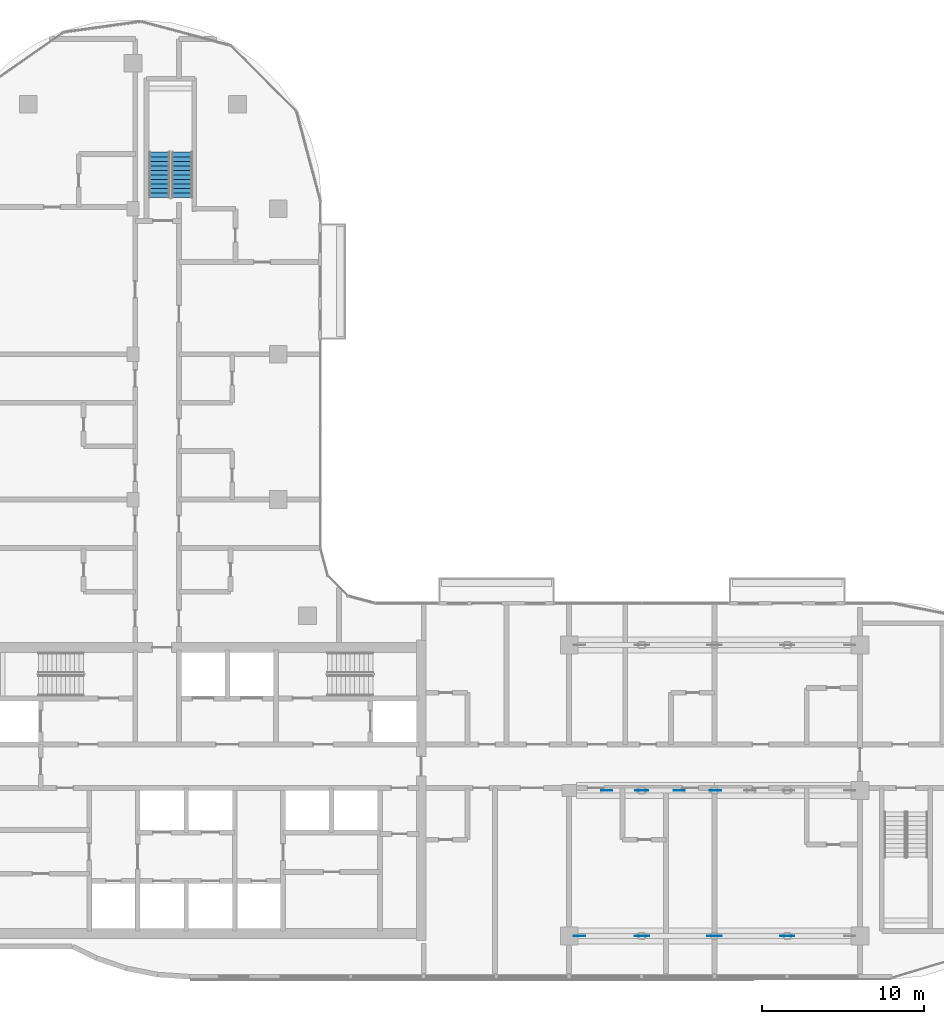
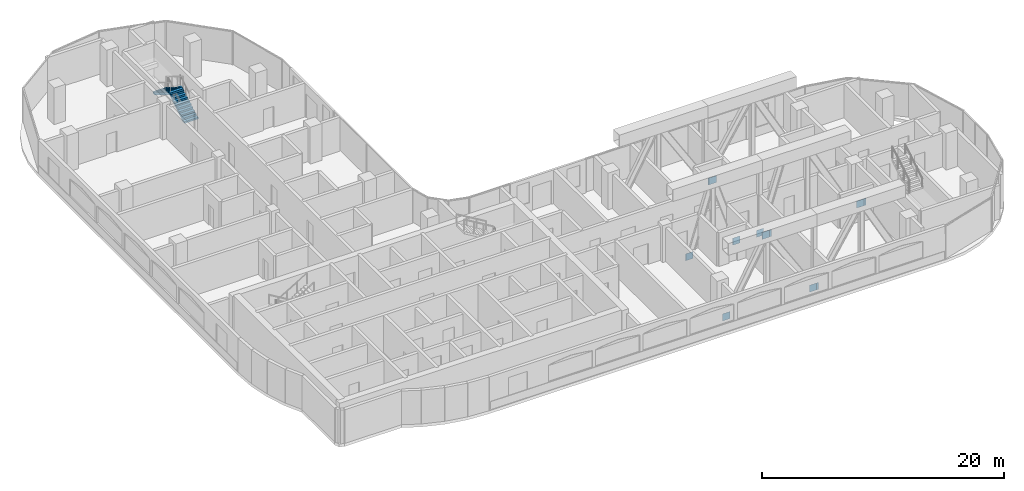
# One storey, part 16 of 25: 12 discrete accessories, 2 stair flights, 1 element without a shape of its own.
"""IFC4 building model written with IfcOpenShell, lengths in metres."""

from ifc_helpers import new_model, si_unit, direction, frame, origin, origin_2d, place, context, subcontext, project, spatial, rectangle, extrude, triangles, source, transform, mapped, material, layer, layer_set, type_object, element, aggregate, save


model = new_model("IFC4")

# Units and contexts
model_context = context("Model", 3, precision=1e-05, world=origin(), true_north=direction((0.0, 1.0)))
body_context = subcontext(model_context, "Body", "Model", "MODEL_VIEW")
ifc_project = project(units=[si_unit("LENGTHUNIT", "METRE"), si_unit("AREAUNIT", "SQUARE_METRE"), si_unit("VOLUMEUNIT", "CUBIC_METRE"), si_unit("PLANEANGLEUNIT", "RADIAN"), si_unit("MASSUNIT", "GRAM", prefix="KILO")], contexts=[model_context])

# Site, building, storey
site_placement = place(None, origin())
site = spatial("IfcSite", under=ifc_project, at=site_placement, CompositionType="ELEMENT")
building_placement = place(site_placement, origin())
building = spatial("IfcBuilding", under=site, at=building_placement, Name="Ogive Portal Towers", CompositionType="ELEMENT")
storey_placement = place(building_placement, frame((0.0, 0.0, 182.89990234375)))
storey = spatial("IfcBuildingStorey", under=building, at=storey_placement, Name="L45", CompositionType="ELEMENT", Elevation=182.89990234375)

# Stair, stair flights
ifc_material_1 = material(Name="Concrete C40/50", Category="concrete")
stair_type = type_object("IfcStairType", Name="INT-STAIR", PredefinedType="HALF_TURN_STAIR", material=ifc_material_1)
stair_placement = place(storey_placement, origin())
stair = element("IfcStair", 1, at=stair_placement, inside=storey, type_object=stair_type, Name="L45 Exit Stair ST-A3", PredefinedType="HALF_TURN_STAIR")
stair_flight_type = type_object("IfcStairFlightType", Name="INT-FLIGHT", PredefinedType="STRAIGHT", material=ifc_material_1)
shared_shape = source(origin(), body_context, "Body", "Tessellation", [
    triangles([(0.0, -0.650146484375, 0.0), (0.0, -0.376220703125, 0.0), (0.0, -0.192626953125, 0.0), (0.0, -0.081298828125, 0.0), (0.0, -0.024169921875, 0.0), (0.0, -0.003173828125, 0.0), (0.0, 0.0, 0.0), (0.0, 0.0029296875, 0.0), (0.0, 0.02392578125, 0.0), (0.0, 0.0810546875, 0.0), (0.0, 0.1923828125, 0.0), (0.0, 0.3759765625, 0.0), (0.0, 0.64990234375, 0.0), (0.0, -0.650146484375, 0.168212890625), (0.0, -0.376220703125, 0.168212890625), (0.0, -0.192626953125, 0.168212890625), (0.0, -0.081298828125, 0.168212890625), (0.0, -0.024169921875, 0.168212890625), (0.0, -0.003173828125, 0.168212890625), (0.0, 0.0, 0.168212890625), (0.0, 0.0029296875, 0.168212890625), (0.0, 0.02392578125, 0.168212890625), (0.0, 0.0810546875, 0.168212890625), (0.0, 0.1923828125, 0.168212890625), (0.0, 0.3759765625, 0.168212890625), (0.0, 0.64990234375, 0.168212890625), (0.280029296875, -0.650146484375, 0.168212890625), (0.280029296875, -0.376220703125, 0.168212890625), (0.280029296875, -0.192626953125, 0.168212890625), (0.280029296875, -0.081298828125, 0.168212890625), (0.280029296875, -0.024169921875, 0.168212890625), (0.280029296875, -0.003173828125, 0.168212890625), (0.280029296875, 0.0, 0.168212890625), (0.280029296875, 0.0029296875, 0.168212890625), (0.280029296875, 0.02392578125, 0.168212890625), (0.280029296875, 0.0810546875, 0.168212890625), (0.280029296875, 0.1923828125, 0.168212890625), (0.280029296875, 0.3759765625, 0.168212890625), (0.280029296875, 0.64990234375, 0.168212890625), (0.280029296875, -0.650146484375, 0.33642578125), (0.280029296875, -0.376220703125, 0.33642578125), (0.280029296875, -0.192626953125, 0.33642578125), (0.280029296875, -0.081298828125, 0.33642578125), (0.280029296875, -0.024169921875, 0.33642578125), (0.280029296875, -0.003173828125, 0.33642578125), (0.280029296875, 0.0, 0.33642578125), (0.280029296875, 0.0029296875, 0.33642578125), (0.280029296875, 0.02392578125, 0.33642578125), (0.280029296875, 0.0810546875, 0.33642578125), (0.280029296875, 0.1923828125, 0.33642578125), (0.280029296875, 0.3759765625, 0.33642578125), (0.280029296875, 0.64990234375, 0.33642578125), (0.56005859375, -0.650146484375, 0.33642578125), (0.56005859375, -0.376220703125, 0.33642578125), (0.56005859375, -0.192626953125, 0.33642578125), (0.56005859375, -0.081298828125, 0.33642578125), (0.56005859375, -0.024169921875, 0.33642578125), (0.56005859375, -0.003173828125, 0.33642578125), (0.56005859375, 0.0, 0.33642578125), (0.56005859375, 0.0029296875, 0.33642578125), (0.56005859375, 0.02392578125, 0.33642578125), (0.56005859375, 0.0810546875, 0.33642578125), (0.56005859375, 0.1923828125, 0.33642578125), (0.56005859375, 0.3759765625, 0.33642578125), (0.56005859375, 0.64990234375, 0.33642578125), (0.56005859375, -0.650146484375, 0.504638671875), (0.56005859375, -0.376220703125, 0.504638671875), (0.56005859375, -0.192626953125, 0.504638671875), (0.56005859375, -0.081298828125, 0.504638671875), (0.56005859375, -0.024169921875, 0.504638671875), (0.56005859375, -0.003173828125, 0.504638671875), (0.56005859375, 0.0, 0.504638671875), (0.56005859375, 0.0029296875, 0.504638671875), (0.56005859375, 0.02392578125, 0.504638671875), (0.56005859375, 0.0810546875, 0.504638671875), (0.56005859375, 0.1923828125, 0.504638671875), (0.56005859375, 0.3759765625, 0.504638671875), (0.56005859375, 0.64990234375, 0.504638671875), (0.840087890625, -0.650146484375, 0.504638671875), (0.840087890625, -0.376220703125, 0.504638671875), (0.840087890625, -0.192626953125, 0.504638671875), (0.840087890625, -0.081298828125, 0.504638671875), (0.840087890625, -0.024169921875, 0.504638671875), (0.840087890625, -0.003173828125, 0.504638671875), (0.840087890625, 0.0, 0.504638671875), (0.840087890625, 0.0029296875, 0.504638671875), (0.840087890625, 0.02392578125, 0.504638671875), (0.840087890625, 0.0810546875, 0.504638671875), (0.840087890625, 0.1923828125, 0.504638671875), (0.840087890625, 0.3759765625, 0.504638671875), (0.840087890625, 0.64990234375, 0.504638671875), (0.840087890625, -0.650146484375, 0.672607421875), (0.840087890625, -0.376220703125, 0.672607421875), (0.840087890625, -0.192626953125, 0.672607421875), (0.840087890625, -0.081298828125, 0.672607421875), (0.840087890625, -0.024169921875, 0.672607421875), (0.840087890625, -0.003173828125, 0.672607421875), (0.840087890625, 0.0, 0.672607421875), (0.840087890625, 0.0029296875, 0.672607421875), (0.840087890625, 0.02392578125, 0.672607421875), (0.840087890625, 0.0810546875, 0.672607421875), (0.840087890625, 0.1923828125, 0.672607421875), (0.840087890625, 0.3759765625, 0.672607421875), (0.840087890625, 0.64990234375, 0.672607421875), (1.1201171875, -0.650146484375, 0.672607421875), (1.1201171875, -0.376220703125, 0.672607421875), (1.1201171875, -0.192626953125, 0.672607421875), (1.1201171875, -0.081298828125, 0.672607421875), (1.1201171875, -0.024169921875, 0.672607421875), (1.1201171875, -0.003173828125, 0.672607421875), (1.1201171875, 0.0, 0.672607421875), (1.1201171875, 0.0029296875, 0.672607421875), (1.1201171875, 0.02392578125, 0.672607421875), (1.1201171875, 0.0810546875, 0.672607421875), (1.1201171875, 0.1923828125, 0.672607421875), (1.1201171875, 0.3759765625, 0.672607421875), (1.1201171875, 0.64990234375, 0.672607421875), (1.1201171875, -0.650146484375, 0.8408203125), (1.1201171875, -0.376220703125, 0.8408203125), (1.1201171875, -0.192626953125, 0.8408203125), (1.1201171875, -0.081298828125, 0.8408203125), (1.1201171875, -0.024169921875, 0.8408203125), (1.1201171875, -0.003173828125, 0.8408203125), (1.1201171875, 0.0, 0.8408203125), (1.1201171875, 0.0029296875, 0.8408203125), (1.1201171875, 0.02392578125, 0.8408203125), (1.1201171875, 0.0810546875, 0.8408203125), (1.1201171875, 0.1923828125, 0.8408203125), (1.1201171875, 0.3759765625, 0.8408203125), (1.1201171875, 0.64990234375, 0.8408203125), (1.39990234375, -0.650146484375, 0.8408203125), (1.39990234375, -0.376220703125, 0.8408203125), (1.39990234375, -0.192626953125, 0.8408203125), (1.39990234375, -0.081298828125, 0.8408203125), (1.39990234375, -0.024169921875, 0.8408203125), (1.39990234375, -0.003173828125, 0.8408203125), (1.39990234375, 0.0, 0.8408203125), (1.39990234375, 0.0029296875, 0.8408203125), (1.39990234375, 0.02392578125, 0.8408203125), (1.39990234375, 0.0810546875, 0.8408203125), (1.39990234375, 0.1923828125, 0.8408203125), (1.39990234375, 0.3759765625, 0.8408203125), (1.39990234375, 0.64990234375, 0.8408203125), (1.39990234375, -0.650146484375, 1.009033203125), (1.39990234375, -0.376220703125, 1.009033203125), (1.39990234375, -0.192626953125, 1.009033203125), (1.39990234375, -0.081298828125, 1.009033203125), (1.39990234375, -0.024169921875, 1.009033203125), (1.39990234375, -0.003173828125, 1.009033203125), (1.39990234375, 0.0, 1.009033203125), (1.39990234375, 0.0029296875, 1.009033203125), (1.39990234375, 0.02392578125, 1.009033203125), (1.39990234375, 0.0810546875, 1.009033203125), (1.39990234375, 0.1923828125, 1.009033203125), (1.39990234375, 0.3759765625, 1.009033203125), (1.39990234375, 0.64990234375, 1.009033203125), (1.679931640625, -0.650146484375, 1.009033203125), (1.679931640625, -0.376220703125, 1.009033203125), (1.679931640625, -0.192626953125, 1.009033203125), (1.679931640625, -0.081298828125, 1.009033203125), (1.679931640625, -0.024169921875, 1.009033203125), (1.679931640625, -0.003173828125, 1.009033203125), (1.679931640625, 0.0, 1.009033203125), (1.679931640625, 0.0029296875, 1.009033203125), (1.679931640625, 0.02392578125, 1.009033203125), (1.679931640625, 0.0810546875, 1.009033203125), (1.679931640625, 0.1923828125, 1.009033203125), (1.679931640625, 0.3759765625, 1.009033203125), (1.679931640625, 0.64990234375, 1.009033203125), (1.679931640625, -0.650146484375, 1.17724609375), (1.679931640625, -0.376220703125, 1.17724609375), (1.679931640625, -0.192626953125, 1.17724609375), (1.679931640625, -0.081298828125, 1.17724609375), (1.679931640625, -0.024169921875, 1.17724609375), (1.679931640625, -0.003173828125, 1.17724609375), (1.679931640625, 0.0, 1.17724609375), (1.679931640625, 0.0029296875, 1.17724609375), (1.679931640625, 0.02392578125, 1.17724609375), (1.679931640625, 0.0810546875, 1.17724609375), (1.679931640625, 0.1923828125, 1.17724609375), (1.679931640625, 0.3759765625, 1.17724609375), (1.679931640625, 0.64990234375, 1.17724609375), (1.9599609375, -0.650146484375, 1.17724609375), (1.9599609375, -0.376220703125, 1.17724609375), (1.9599609375, -0.192626953125, 1.17724609375), (1.9599609375, -0.081298828125, 1.17724609375), (1.9599609375, -0.024169921875, 1.17724609375), (1.9599609375, -0.003173828125, 1.17724609375), (1.9599609375, 0.0, 1.17724609375), (1.9599609375, 0.0029296875, 1.17724609375), (1.9599609375, 0.02392578125, 1.17724609375), (1.9599609375, 0.0810546875, 1.17724609375), (1.9599609375, 0.1923828125, 1.17724609375), (1.9599609375, 0.3759765625, 1.17724609375), (1.9599609375, 0.64990234375, 1.17724609375), (1.9599609375, -0.650146484375, 1.345458984375), (1.9599609375, -0.376220703125, 1.345458984375), (1.9599609375, -0.192626953125, 1.345458984375), (1.9599609375, -0.081298828125, 1.345458984375), (1.9599609375, -0.024169921875, 1.345458984375), (1.9599609375, -0.003173828125, 1.345458984375), (1.9599609375, 0.0, 1.345458984375), (1.9599609375, 0.0029296875, 1.345458984375), (1.9599609375, 0.02392578125, 1.345458984375), (1.9599609375, 0.0810546875, 1.345458984375), (1.9599609375, 0.1923828125, 1.345458984375), (1.9599609375, 0.3759765625, 1.345458984375), (1.9599609375, 0.64990234375, 1.345458984375), (2.239990234375, -0.650146484375, 1.345458984375), (2.239990234375, -0.376220703125, 1.345458984375), (2.239990234375, -0.192626953125, 1.345458984375), (2.239990234375, -0.081298828125, 1.345458984375), (2.239990234375, -0.024169921875, 1.345458984375), (2.239990234375, -0.003173828125, 1.345458984375), (2.239990234375, 0.0, 1.345458984375), (2.239990234375, 0.0029296875, 1.345458984375), (2.239990234375, 0.02392578125, 1.345458984375), (2.239990234375, 0.0810546875, 1.345458984375), (2.239990234375, 0.1923828125, 1.345458984375), (2.239990234375, 0.3759765625, 1.345458984375), (2.239990234375, 0.64990234375, 1.345458984375), (2.239990234375, -0.650146484375, 1.513671875), (2.239990234375, -0.376220703125, 1.513671875), (2.239990234375, -0.192626953125, 1.513671875), (2.239990234375, -0.081298828125, 1.513671875), (2.239990234375, -0.024169921875, 1.513671875), (2.239990234375, -0.003173828125, 1.513671875), (2.239990234375, 0.0, 1.513671875), (2.239990234375, 0.0029296875, 1.513671875), (2.239990234375, 0.02392578125, 1.513671875), (2.239990234375, 0.0810546875, 1.513671875), (2.239990234375, 0.1923828125, 1.513671875), (2.239990234375, 0.3759765625, 1.513671875), (2.239990234375, 0.64990234375, 1.513671875), (2.52001953125, -0.650146484375, 1.513671875), (2.52001953125, -0.376220703125, 1.513671875), (2.52001953125, -0.192626953125, 1.513671875), (2.52001953125, -0.081298828125, 1.513671875), (2.52001953125, -0.024169921875, 1.513671875), (2.52001953125, -0.003173828125, 1.513671875), (2.52001953125, 0.0, 1.513671875), (2.52001953125, 0.0029296875, 1.513671875), (2.52001953125, 0.02392578125, 1.513671875), (2.52001953125, 0.0810546875, 1.513671875), (2.52001953125, 0.1923828125, 1.513671875), (2.52001953125, 0.3759765625, 1.513671875), (2.52001953125, 0.64990234375, 1.513671875), (2.52001953125, -0.650146484375, 1.681884765625), (2.52001953125, -0.376220703125, 1.681884765625), (2.52001953125, -0.192626953125, 1.681884765625), (2.52001953125, -0.081298828125, 1.681884765625), (2.52001953125, -0.024169921875, 1.681884765625), (2.52001953125, -0.003173828125, 1.681884765625), (2.52001953125, 0.0, 1.681884765625), (2.52001953125, 0.0029296875, 1.681884765625), (2.52001953125, 0.02392578125, 1.681884765625), (2.52001953125, 0.0810546875, 1.681884765625), (2.52001953125, 0.1923828125, 1.681884765625), (2.52001953125, 0.3759765625, 1.681884765625), (2.52001953125, 0.64990234375, 1.681884765625), (2.800048828125, -0.650146484375, 1.681884765625), (2.800048828125, -0.376220703125, 1.681884765625), (2.800048828125, -0.192626953125, 1.681884765625), (2.800048828125, -0.081298828125, 1.681884765625), (2.800048828125, -0.024169921875, 1.681884765625), (2.800048828125, -0.003173828125, 1.681884765625), (2.800048828125, 0.0, 1.681884765625), (2.800048828125, 0.0029296875, 1.681884765625), (2.800048828125, 0.02392578125, 1.681884765625), (2.800048828125, 0.0810546875, 1.681884765625), (2.800048828125, 0.1923828125, 1.681884765625), (2.800048828125, 0.3759765625, 1.681884765625), (2.800048828125, 0.64990234375, 1.681884765625), (2.800048828125, -0.650146484375, 1.5068359375), (2.800048828125, -0.376220703125, 1.5068359375), (2.800048828125, -0.192626953125, 1.5068359375), (2.800048828125, -0.081298828125, 1.5068359375), (2.800048828125, -0.024169921875, 1.5068359375), (2.800048828125, -0.003173828125, 1.5068359375), (2.800048828125, 0.0, 1.5068359375), (2.800048828125, 0.0029296875, 1.5068359375), (2.800048828125, 0.02392578125, 1.5068359375), (2.800048828125, 0.0810546875, 1.5068359375), (2.800048828125, 0.1923828125, 1.5068359375), (2.800048828125, 0.3759765625, 1.5068359375), (2.800048828125, 0.64990234375, 1.5068359375), (0.291015625, -0.650146484375, 0.0), (0.291015625, -0.376220703125, 0.0), (0.291015625, -0.192626953125, 0.0), (0.291015625, -0.081298828125, 0.0), (0.291015625, -0.024169921875, 0.0), (0.291015625, -0.003173828125, 0.0), (0.291015625, 0.0, 0.0), (0.291015625, 0.0029296875, 0.0), (0.291015625, 0.02392578125, 0.0), (0.291015625, 0.0810546875, 0.0), (0.291015625, 0.1923828125, 0.0), (0.291015625, 0.3759765625, 0.0), (0.291015625, 0.64990234375, 0.0)], [[1, 14, 15], [1, 15, 2], [2, 15, 16], [2, 16, 3], [3, 16, 17], [3, 17, 4], [4, 17, 18], [4, 18, 5], [5, 18, 19], [5, 19, 6], [6, 19, 20], [6, 20, 7], [7, 20, 21], [7, 21, 8], [8, 21, 22], [8, 22, 9], [9, 22, 23], [9, 23, 10], [10, 23, 24], [10, 24, 11], [11, 24, 25], [11, 25, 12], [12, 25, 26], [12, 26, 13], [14, 27, 28], [14, 28, 15], [15, 28, 29], [15, 29, 16], [16, 29, 30], [16, 30, 17], [17, 30, 31], [17, 31, 18], [18, 31, 32], [18, 32, 19], [19, 32, 33], [19, 33, 20], [20, 33, 34], [20, 34, 21], [21, 34, 35], [21, 35, 22], [22, 35, 36], [22, 36, 23], [23, 36, 37], [23, 37, 24], [24, 37, 38], [24, 38, 25], [25, 38, 39], [25, 39, 26], [27, 40, 41], [27, 41, 28], [28, 41, 42], [28, 42, 29], [29, 42, 43], [29, 43, 30], [30, 43, 44], [30, 44, 31], [31, 44, 45], [31, 45, 32], [32, 45, 46], [32, 46, 33], [33, 46, 47], [33, 47, 34], [34, 47, 48], [34, 48, 35], [35, 48, 49], [35, 49, 36], [36, 49, 50], [36, 50, 37], [37, 50, 51], [37, 51, 38], [38, 51, 52], [38, 52, 39], [40, 53, 54], [40, 54, 41], [41, 54, 55], [41, 55, 42], [42, 55, 56], [42, 56, 43], [43, 56, 57], [43, 57, 44], [44, 57, 58], [44, 58, 45], [45, 58, 59], [45, 59, 46], [46, 59, 60], [46, 60, 47], [47, 60, 61], [47, 61, 48], [48, 61, 62], [48, 62, 49], [49, 62, 63], [49, 63, 50], [50, 63, 64], [50, 64, 51], [51, 64, 65], [51, 65, 52], [53, 66, 67], [53, 67, 54], [54, 67, 68], [54, 68, 55], [55, 68, 69], [55, 69, 56], [56, 69, 70], [56, 70, 57], [57, 70, 71], [57, 71, 58], [58, 71, 72], [58, 72, 59], [59, 72, 73], [59, 73, 60], [60, 73, 74], [60, 74, 61], [61, 74, 75], [61, 75, 62], [62, 75, 76], [62, 76, 63], [63, 76, 77], [63, 77, 64], [64, 77, 78], [64, 78, 65], [66, 79, 80], [66, 80, 67], [67, 80, 81], [67, 81, 68], [68, 81, 82], [68, 82, 69], [69, 82, 83], [69, 83, 70], [70, 83, 84], [70, 84, 71], [71, 84, 85], [71, 85, 72], [72, 85, 86], [72, 86, 73], [73, 86, 87], [73, 87, 74], [74, 87, 88], [74, 88, 75], [75, 88, 89], [75, 89, 76], [76, 89, 90], [76, 90, 77], [77, 90, 91], [77, 91, 78], [79, 92, 93], [79, 93, 80], [80, 93, 94], [80, 94, 81], [81, 94, 95], [81, 95, 82], [82, 95, 96], [82, 96, 83], [83, 96, 97], [83, 97, 84], [84, 97, 98], [84, 98, 85], [85, 98, 99], [85, 99, 86], [86, 99, 100], [86, 100, 87], [87, 100, 101], [87, 101, 88], [88, 101, 102], [88, 102, 89], [89, 102, 103], [89, 103, 90], [90, 103, 104], [90, 104, 91], [92, 105, 106], [92, 106, 93], [93, 106, 107], [93, 107, 94], [94, 107, 108], [94, 108, 95], [95, 108, 109], [95, 109, 96], [96, 109, 110], [96, 110, 97], [97, 110, 111], [97, 111, 98], [98, 111, 112], [98, 112, 99], [99, 112, 113], [99, 113, 100], [100, 113, 114], [100, 114, 101], [101, 114, 115], [101, 115, 102], [102, 115, 116], [102, 116, 103], [103, 116, 117], [103, 117, 104], [105, 118, 119], [105, 119, 106], [106, 119, 120], [106, 120, 107], [107, 120, 121], [107, 121, 108], [108, 121, 122], [108, 122, 109], [109, 122, 123], [109, 123, 110], [110, 123, 124], [110, 124, 111], [111, 124, 125], [111, 125, 112], [112, 125, 126], [112, 126, 113], [113, 126, 127], [113, 127, 114], [114, 127, 128], [114, 128, 115], [115, 128, 129], [115, 129, 116], [116, 129, 130], [116, 130, 117], [118, 131, 132], [118, 132, 119], [119, 132, 133], [119, 133, 120], [120, 133, 134], [120, 134, 121], [121, 134, 135], [121, 135, 122], [122, 135, 136], [122, 136, 123], [123, 136, 137], [123, 137, 124], [124, 137, 138], [124, 138, 125], [125, 138, 139], [125, 139, 126], [126, 139, 140], [126, 140, 127], [127, 140, 141], [127, 141, 128], [128, 141, 142], [128, 142, 129], [129, 142, 143], [129, 143, 130], [131, 144, 145], [131, 145, 132], [132, 145, 146], [132, 146, 133], [133, 146, 147], [133, 147, 134], [134, 147, 148], [134, 148, 135], [135, 148, 149], [135, 149, 136], [136, 149, 150], [136, 150, 137], [137, 150, 151], [137, 151, 138], [138, 151, 152], [138, 152, 139], [139, 152, 153], [139, 153, 140], [140, 153, 154], [140, 154, 141], [141, 154, 155], [141, 155, 142], [142, 155, 156], [142, 156, 143], [144, 157, 158], [144, 158, 145], [145, 158, 159], [145, 159, 146], [146, 159, 160], [146, 160, 147], [147, 160, 161], [147, 161, 148], [148, 161, 162], [148, 162, 149], [149, 162, 163], [149, 163, 150], [150, 163, 164], [150, 164, 151], [151, 164, 165], [151, 165, 152], [152, 165, 166], [152, 166, 153], [153, 166, 167], [153, 167, 154], [154, 167, 168], [154, 168, 155], [155, 168, 169], [155, 169, 156], [157, 170, 171], [157, 171, 158], [158, 171, 172], [158, 172, 159], [159, 172, 173], [159, 173, 160], [160, 173, 174], [160, 174, 161], [161, 174, 175], [161, 175, 162], [162, 175, 176], [162, 176, 163], [163, 176, 177], [163, 177, 164], [164, 177, 178], [164, 178, 165], [165, 178, 179], [165, 179, 166], [166, 179, 180], [166, 180, 167], [167, 180, 181], [167, 181, 168], [168, 181, 182], [168, 182, 169], [170, 183, 184], [170, 184, 171], [171, 184, 185], [171, 185, 172], [172, 185, 186], [172, 186, 173], [173, 186, 187], [173, 187, 174], [174, 187, 188], [174, 188, 175], [175, 188, 189], [175, 189, 176], [176, 189, 190], [176, 190, 177], [177, 190, 191], [177, 191, 178], [178, 191, 192], [178, 192, 179], [179, 192, 193], [179, 193, 180], [180, 193, 194], [180, 194, 181], [181, 194, 195], [181, 195, 182], [183, 196, 197], [183, 197, 184], [184, 197, 198], [184, 198, 185], [185, 198, 199], [185, 199, 186], [186, 199, 200], [186, 200, 187], [187, 200, 201], [187, 201, 188], [188, 201, 202], [188, 202, 189], [189, 202, 203], [189, 203, 190], [190, 203, 204], [190, 204, 191], [191, 204, 205], [191, 205, 192], [192, 205, 206], [192, 206, 193], [193, 206, 207], [193, 207, 194], [194, 207, 208], [194, 208, 195], [196, 209, 210], [196, 210, 197], [197, 210, 211], [197, 211, 198], [198, 211, 212], [198, 212, 199], [199, 212, 213], [199, 213, 200], [200, 213, 214], [200, 214, 201], [201, 214, 215], [201, 215, 202], [202, 215, 216], [202, 216, 203], [203, 216, 217], [203, 217, 204], [204, 217, 218], [204, 218, 205], [205, 218, 219], [205, 219, 206], [206, 219, 220], [206, 220, 207], [207, 220, 221], [207, 221, 208], [209, 222, 223], [209, 223, 210], [210, 223, 224], [210, 224, 211], [211, 224, 225], [211, 225, 212], [212, 225, 226], [212, 226, 213], [213, 226, 227], [213, 227, 214], [214, 227, 228], [214, 228, 215], [215, 228, 229], [215, 229, 216], [216, 229, 230], [216, 230, 217], [217, 230, 231], [217, 231, 218], [218, 231, 232], [218, 232, 219], [219, 232, 233], [219, 233, 220], [220, 233, 234], [220, 234, 221], [222, 235, 236], [222, 236, 223], [223, 236, 237], [223, 237, 224], [224, 237, 238], [224, 238, 225], [225, 238, 239], [225, 239, 226], [226, 239, 240], [226, 240, 227], [227, 240, 241], [227, 241, 228], [228, 241, 242], [228, 242, 229], [229, 242, 243], [229, 243, 230], [230, 243, 244], [230, 244, 231], [231, 244, 245], [231, 245, 232], [232, 245, 246], [232, 246, 233], [233, 246, 247], [233, 247, 234], [235, 248, 249], [235, 249, 236], [236, 249, 250], [236, 250, 237], [237, 250, 251], [237, 251, 238], [238, 251, 252], [238, 252, 239], [239, 252, 253], [239, 253, 240], [240, 253, 254], [240, 254, 241], [241, 254, 255], [241, 255, 242], [242, 255, 256], [242, 256, 243], [243, 256, 257], [243, 257, 244], [244, 257, 258], [244, 258, 245], [245, 258, 259], [245, 259, 246], [246, 259, 260], [246, 260, 247], [248, 261, 262], [248, 262, 249], [249, 262, 263], [249, 263, 250], [250, 263, 264], [250, 264, 251], [251, 264, 265], [251, 265, 252], [252, 265, 266], [252, 266, 253], [253, 266, 267], [253, 267, 254], [254, 267, 268], [254, 268, 255], [255, 268, 269], [255, 269, 256], [256, 269, 270], [256, 270, 257], [257, 270, 271], [257, 271, 258], [258, 271, 272], [258, 272, 259], [259, 272, 273], [259, 273, 260], [261, 274, 275], [261, 275, 262], [262, 275, 276], [262, 276, 263], [263, 276, 277], [263, 277, 264], [264, 277, 278], [264, 278, 265], [265, 278, 279], [265, 279, 266], [266, 279, 280], [266, 280, 267], [267, 280, 281], [267, 281, 268], [268, 281, 282], [268, 282, 269], [269, 282, 283], [269, 283, 270], [270, 283, 284], [270, 284, 271], [271, 284, 285], [271, 285, 272], [272, 285, 286], [272, 286, 273], [274, 287, 288], [274, 288, 275], [275, 288, 289], [275, 289, 276], [276, 289, 290], [276, 290, 277], [277, 290, 291], [277, 291, 278], [278, 291, 292], [278, 292, 279], [279, 292, 293], [279, 293, 280], [280, 293, 294], [280, 294, 281], [281, 294, 295], [281, 295, 282], [282, 295, 296], [282, 296, 283], [283, 296, 297], [283, 297, 284], [284, 297, 298], [284, 298, 285], [285, 298, 299], [285, 299, 286], [287, 1, 2], [287, 2, 288], [288, 2, 3], [288, 3, 289], [289, 3, 4], [289, 4, 290], [290, 4, 5], [290, 5, 291], [291, 5, 6], [291, 6, 292], [292, 6, 7], [292, 7, 293], [293, 7, 8], [293, 8, 294], [294, 8, 9], [294, 9, 295], [295, 9, 10], [295, 10, 296], [296, 10, 11], [296, 11, 297], [297, 11, 12], [297, 12, 298], [298, 12, 13], [298, 13, 299], [1, 287, 274], [13, 286, 299], [274, 261, 248], [286, 260, 273], [274, 248, 235], [286, 247, 260], [274, 235, 222], [286, 234, 247], [274, 222, 209], [286, 221, 234], [209, 196, 183], [221, 195, 208], [274, 209, 183], [286, 195, 221], [183, 170, 157], [195, 169, 182], [274, 183, 157], [286, 169, 195], [157, 144, 131], [169, 143, 156], [274, 157, 131], [286, 143, 169], [131, 118, 105], [143, 117, 130], [274, 131, 105], [286, 117, 143], [1, 274, 105], [13, 117, 286], [105, 92, 79], [117, 91, 104], [79, 66, 53], [91, 65, 78], [105, 79, 53], [117, 65, 91], [53, 40, 27], [65, 39, 52], [105, 53, 27], [117, 39, 65], [1, 105, 27], [13, 39, 117], [27, 14, 1], [39, 13, 26]], closed=True),
])
stair_flight_1_placement = place(storey_placement, frame((43.550048828125, 67.199951171875, 0.0), z_axis=(0.0, 0.0, 1.0), x_axis=(0.0, 1.0, 0.0)))
stair_flight_1 = element("IfcStairFlight", 2, at=stair_flight_1_placement, type_object=stair_flight_type, Name="ST-A3 flight 1", NumberOfRisers=11, NumberOfTreads=10, PredefinedType="STRAIGHT", RiserHeight=0.168181818, TreadLength=0.28, context=body_context, shape_type="MappedRepresentation", body=[
    mapped(shared_shape, transform((0.0, 0.0, 0.0), scale=1.0)),
])
stair_flight_2_placement = place(storey_placement, frame((42.14990234375, 70.0, 1.85009765625), z_axis=(0.0, 0.0, 1.0), x_axis=(0.0, -1.0, 0.0)))
stair_flight_2 = element("IfcStairFlight", 3, at=stair_flight_2_placement, type_object=stair_flight_type, Name="ST-A3 flight 2", NumberOfRisers=11, NumberOfTreads=10, PredefinedType="STRAIGHT", RiserHeight=0.168181818, TreadLength=0.28, context=body_context, shape_type="MappedRepresentation", body=[
    mapped(shared_shape, transform((0.0, 0.0, 0.0), scale=1.0)),
])
aggregate(stair, [stair_flight_1, stair_flight_2])

# Discrete accessories
ifc_material_2 = material(Name="Steel S355", Category="steel")
ifc_layer = layer(ifc_material_2, 0.02001953125)
ifc_layer_set = layer_set([ifc_layer], Name="GUSSET PLATE 700x700x20")
discrete_accessory_type = type_object("IfcDiscreteAccessoryType", Name="GUSSET PLATE 700x700x20", PredefinedType="BRACKET", material=ifc_layer_set)
for number, where, z_axis, x_axis, name in (
    (4, (68.134033203125, 21.5, -0.9033203125), (0.0, 0.0, 1.0), (1.0, 0.0, 0.0), "Gusset plate"),
    (5, (71.916015625, 21.5, 5.99658203125), (0.0, 0.0, 1.0), (1.0, 0.0, 0.0), "Gusset plate"),
    (6, (72.0927734375, 21.5, 6.001953125), (0.0, 0.0, 1.0), (1.0, 0.0, 0.0), "Gusset plate"),
    (7, (76.4072265625, 21.5, -0.90869140625), (0.0, 0.0, 1.0), (1.0, 0.0, 0.0), "Gusset plate"),
    (8, (76.5927734375, 21.5, -0.90869140625), (0.0, 0.0, 1.0), (1.0, 0.0, 0.0), "Gusset plate"),
    (9, (80.9072265625, 21.5, 6.001953125), (0.0, 0.0, 1.0), (1.0, 0.0, 0.0), "Gusset plate"),
    (10, (81.083984375, 21.5, 5.99658203125), (0.0, 0.0, 1.0), (1.0, 0.0, 0.0), "Gusset plate"),
    (11, (69.82421875, 30.5, -0.8896484375), (0.0, 0.0, 1.0), (1.0, 0.0, 0.0), "Gusset plate"),
    (12, (71.9482421875, 30.5, 5.98291015625), (0.0, 0.0, 1.0), (1.0, 0.0, 0.0), "Gusset plate"),
    (13, (74.30810546875, 30.5, -0.890625), (0.0, 0.0, 1.0), (-1.0, 0.0, 0.0), "Gusset plate"),
    (14, (72.054443359375, 30.5, 5.98388671875), (0.0, 0.0, 1.0), (-1.0, 0.0, 0.0), "Gusset plate"),
    (15, (76.55224609375, 30.5, -0.8896484375), (0.0, 0.0, 1.0), (1.0, 0.0, 0.0), "Gusset plate"),
):
    element("IfcDiscreteAccessory", number, at=place(storey_placement, frame(where, z_axis=z_axis, x_axis=x_axis)), inside=storey, type_object=discrete_accessory_type, Name=name, PredefinedType="BRACKET", context=body_context, shape_type="SweptSolid", body=[
        extrude(rectangle(XDim=0.699951171875, YDim=0.02001953125, at=origin_2d()), origin(), (0.0, 0.0, 1.0), 0.699951171875),
    ])

save(model, "model.ifc")
